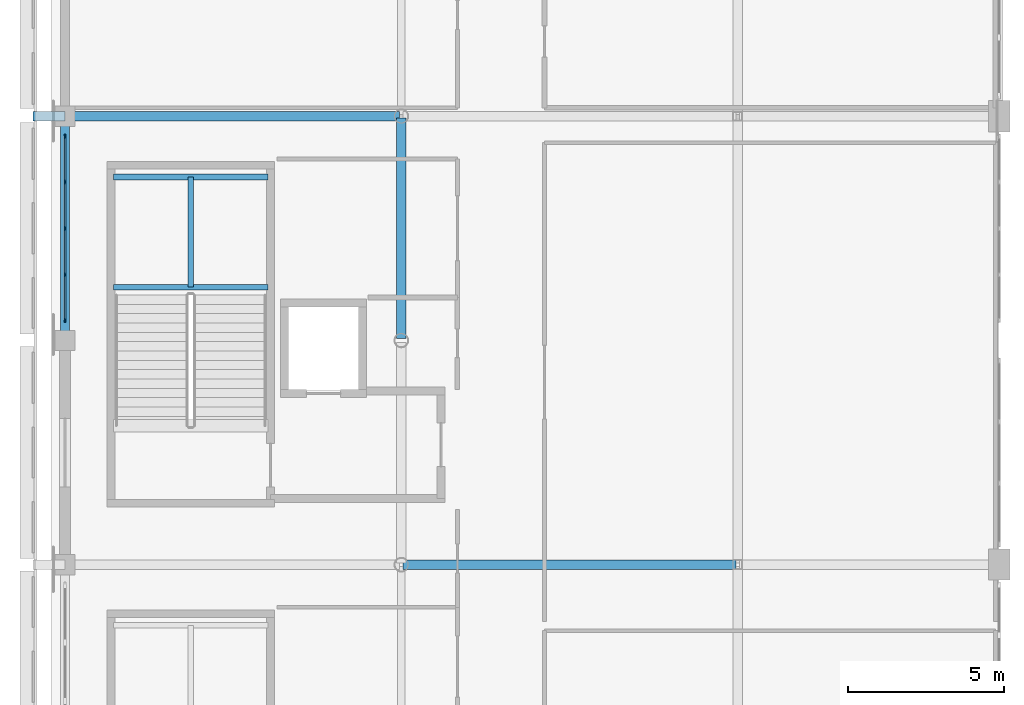
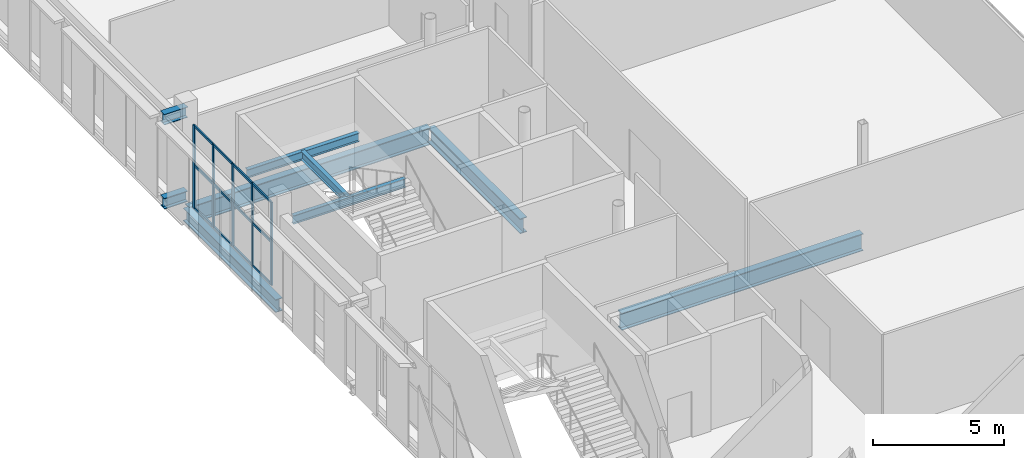
# One storey, part 27 of 104: 17 members, 9 beams, 1 element without a shape of its own.
"""IFC4 building model written with IfcOpenShell, lengths in metres."""

from ifc_helpers import new_model, si_unit, direction, frame, origin, origin_2d, place, context, subcontext, project, spatial, rectangle, i_section, extrude, material, material_profile, profile_set, type_object, element, aggregate, save


model = new_model("IFC4")

# Units and contexts
model_context = context("Model", 3, precision=1e-05, world=origin(), true_north=direction((0.0, 1.0)))
body_context = subcontext(model_context, "Body", "Model", "MODEL_VIEW")
ifc_project = project(units=[si_unit("LENGTHUNIT", "METRE"), si_unit("AREAUNIT", "SQUARE_METRE"), si_unit("VOLUMEUNIT", "CUBIC_METRE"), si_unit("PLANEANGLEUNIT", "RADIAN"), si_unit("MASSUNIT", "GRAM", prefix="KILO")], contexts=[model_context])

# Site, building, storey
site_placement = place(None, origin())
site = spatial("IfcSite", under=ifc_project, at=site_placement, CompositionType="ELEMENT")
building_placement = place(site_placement, origin())
building = spatial("IfcBuilding", under=site, at=building_placement, Name="Koshinbarg Plaza Stadium", CompositionType="ELEMENT")
storey_placement = place(building_placement, frame((0.0, 0.0, 19.800048828125)))
storey = spatial("IfcBuildingStorey", under=building, at=storey_placement, Name="L04", CompositionType="ELEMENT", Elevation=19.800048828125)

# Beams
ifc_material_1 = material(Name="Steel S355", Category="steel")
ifc_material_profile_1 = material_profile(ifc_material_1, i_section(OverallWidth=0.300048828125, OverallDepth=0.5, WebThickness=0.014404296875, FlangeThickness=0.028076171875, at=origin_2d()), Name="HEB 500")
ifc_profile_set_1 = profile_set([ifc_material_profile_1], Name="Steel S355")
beam_type_1 = type_object("IfcBeamType", Name="BM-CANOPY-CANT", PredefinedType="BEAM", material=ifc_profile_set_1)
for number, where, z_axis, x_axis, name in (
    (1, (24.60009765625, 111.89990234375, 0.25), (-1.0, 0.0, 0.0), (0.0, -1.0, 0.0), "Outer screen cantilever outrigger W-L04-Y07"),
    (2, (24.60009765625, 111.89990234375, 4.179931640625), (-1.0, 0.0, 0.0), (0.0, -1.0, 0.0), "Outer screen cantilever outrigger W-L04-Y07"),
):
    element("IfcBeam", number, at=place(storey_placement, frame(where, z_axis=z_axis, x_axis=x_axis)), inside=storey, type_object=beam_type_1, Name=name, PredefinedType="BEAM", context=body_context, shape_type="SweptSolid", body=[
        extrude(i_section(OverallWidth=0.300048828125, OverallDepth=0.5, WebThickness=0.014404296875, FlangeThickness=0.028076171875, at=origin_2d()), origin(), (0.0, 0.0, 1.0), 1.030029296875),
    ])
ifc_material_profile_2 = material_profile(ifc_material_1, i_section(OverallWidth=0.179931640625, OverallDepth=0.39990234375, WebThickness=0.008544921875, FlangeThickness=0.013427734375, at=origin_2d()), Name="IPE 400")
ifc_profile_set_2 = profile_set([ifc_material_profile_2], Name="Steel S355")
beam_type_2 = type_object("IfcBeamType", Name="BM-SBM-01", PredefinedType="BEAM", material=ifc_profile_set_2)
for number, where, z_axis, x_axis, name in (
    (3, (26.14990234375, 106.409912109375, 1.8798828125), (1.0, 0.0, 0.0), (0.0, 1.0, 0.0), "L04 Protected Exit Stair C06 landing trimmer beam 1"),
    (4, (26.14990234375, 109.949951171875, 1.8798828125), (1.0, 0.0, 0.0), (0.0, 1.0, 0.0), "L04 Protected Exit Stair C06 landing trimmer beam 2"),
):
    element("IfcBeam", number, at=place(storey_placement, frame(where, z_axis=z_axis, x_axis=x_axis)), inside=storey, type_object=beam_type_2, Name=name, PredefinedType="BEAM", context=body_context, shape_type="SweptSolid", body=[
        extrude(i_section(OverallWidth=0.179931640625, OverallDepth=0.39990234375, WebThickness=0.008544921875, FlangeThickness=0.013427734375, at=origin_2d()), origin(), (0.0, 0.0, 1.0), 4.97021484375),
    ])
beam_1_placement = place(storey_placement, frame((28.635009765625, 106.409912109375, 1.8798828125), z_axis=(0.0, 1.0, 0.0), x_axis=(-1.0, 0.0, 0.0)))
element("IfcBeam", 5, at=beam_1_placement, inside=storey, type_object=beam_type_2, Name="L04 Protected Exit Stair C06 landing trimmer beam 3", PredefinedType="BEAM", context=body_context, shape_type="SweptSolid", body=[
    extrude(i_section(OverallWidth=0.179931640625, OverallDepth=0.39990234375, WebThickness=0.008544921875, FlangeThickness=0.013427734375, at=origin_2d()), origin(), (0.0, 0.0, 1.0), 3.5400390625),
])
ifc_material_profile_3 = material_profile(ifc_material_1, i_section(OverallWidth=0.300048828125, OverallDepth=0.60009765625, WebThickness=0.015380859375, FlangeThickness=0.030029296875, at=origin_2d()), Name="HEB 600")
ifc_profile_set_3 = profile_set([ifc_material_profile_3], Name="Steel S355")
beam_type_3 = type_object("IfcBeamType", Name="BM-SGIR-02", PredefinedType="USERDEFINED", material=ifc_profile_set_3)
beam_2_placement = place(storey_placement, frame((24.60009765625, 104.760009765625, -0.60009765625), z_axis=(0.0, 1.0, 0.0), x_axis=(-1.0, 0.0, 0.0)))
element("IfcBeam", 6, at=beam_2_placement, inside=storey, type_object=beam_type_3, Name="L04 Y girder 5/P-Q", ObjectType="GIRDER", PredefinedType="USERDEFINED", context=body_context, shape_type="SweptSolid", body=[
    extrude(i_section(OverallWidth=0.300048828125, OverallDepth=0.60009765625, WebThickness=0.015380859375, FlangeThickness=0.030029296875, at=origin_2d()), origin(), (0.0, 0.0, 1.0), 7.080078125),
])
ifc_material_profile_4 = material_profile(ifc_material_1, i_section(OverallWidth=0.300048828125, OverallDepth=0.699951171875, WebThickness=0.01708984375, FlangeThickness=0.031982421875, at=origin_2d()), Name="HEB 700")
ifc_profile_set_4 = profile_set([ifc_material_profile_4], Name="Steel S355")
beam_type_4 = type_object("IfcBeamType", Name="BM-SGIR-03", PredefinedType="USERDEFINED", material=ifc_profile_set_4)
beam_3_placement = place(storey_placement, frame((35.39990234375, 104.760009765625, -0.650146484375), z_axis=(0.0, 1.0, 0.0), x_axis=(-1.0, 0.0, 0.0)))
element("IfcBeam", 7, at=beam_3_placement, inside=storey, type_object=beam_type_4, Name="L04 Y girder 6/P-Q", ObjectType="GIRDER", PredefinedType="USERDEFINED", context=body_context, shape_type="SweptSolid", body=[
    extrude(i_section(OverallWidth=0.300048828125, OverallDepth=0.699951171875, WebThickness=0.01708984375, FlangeThickness=0.031982421875, at=origin_2d()), origin(), (0.0, 0.0, 1.0), 7.080078125),
])
ifc_material_profile_5 = material_profile(ifc_material_1, i_section(OverallWidth=0.300048828125, OverallDepth=0.800048828125, WebThickness=0.017578125, FlangeThickness=0.032958984375, at=origin_2d()), Name="HEB 800")
ifc_profile_set_5 = profile_set([ifc_material_profile_5], Name="Steel S355")
beam_type_5 = type_object("IfcBeamType", Name="BM-SGIR-04", PredefinedType="USERDEFINED", material=ifc_profile_set_5)
beam_4_placement = place(storey_placement, frame((35.4599609375, 97.5, -0.699951171875), z_axis=(1.0, 0.0, 0.0), x_axis=(0.0, 1.0, 0.0)))
element("IfcBeam", 8, at=beam_4_placement, inside=storey, type_object=beam_type_5, Name="L04 X girder N/6-7", ObjectType="GIRDER", PredefinedType="USERDEFINED", context=body_context, shape_type="SweptSolid", body=[
    extrude(i_section(OverallWidth=0.300048828125, OverallDepth=0.800048828125, WebThickness=0.017578125, FlangeThickness=0.032958984375, at=origin_2d()), origin(), (0.0, 0.0, 1.0), 10.679931640625),
])
beam_5_placement = place(storey_placement, frame((24.659912109375, 111.89990234375, -0.699951171875), z_axis=(1.0, 0.0, 0.0), x_axis=(0.0, 1.0, 0.0)))
element("IfcBeam", 9, at=beam_5_placement, inside=storey, type_object=beam_type_5, Name="L04 X girder Q/5-6", ObjectType="GIRDER", PredefinedType="USERDEFINED", context=body_context, shape_type="SweptSolid", body=[
    extrude(i_section(OverallWidth=0.300048828125, OverallDepth=0.800048828125, WebThickness=0.017578125, FlangeThickness=0.032958984375, at=origin_2d()), origin(), (0.0, 0.0, 1.0), 10.68017578125),
])

# Curtain wall, members
ifc_material_2 = material(Name="Thermally broken anodised aluminium and low-E double glazing", Category="aluminium")
curtain_wall_type = type_object("IfcCurtainWallType", Name="CW-SYS-01", PredefinedType="NOTDEFINED", material=ifc_material_2)
curtain_wall_placement = place(storey_placement, origin())
curtain_wall = element("IfcCurtainWall", 10, at=curtain_wall_placement, inside=storey, type_object=curtain_wall_type, Name="L04 unitised curtain wall CW-L04-096", PredefinedType="NOTDEFINED")
ifc_material_3 = material(Name="Anodised aluminium mullion", Category="aluminium")
ifc_material_profile_6 = material_profile(ifc_material_3, rectangle(XDim=0.06005859375, YDim=0.139892578125, at=origin_2d()), Name="ALU 60x140")
ifc_profile_set_6 = profile_set([ifc_material_profile_6], Name="Anodised aluminium mullion")
member_type_1 = type_object("IfcMemberType", Name="CW-MUL-01", PredefinedType="MULLION", material=ifc_profile_set_6)
member_1_placement = place(storey_placement, frame((24.60009765625, 105.35009765625, 0.0), z_axis=(0.0, 0.0, 1.0), x_axis=(-1.0, 0.0, 0.0)))
member_1 = element("IfcMember", 11, at=member_1_placement, type_object=member_type_1, Name="CW01 mullion 1", PredefinedType="MULLION", context=body_context, shape_type="SweptSolid", body=[
    extrude(rectangle(XDim=0.06005859375, YDim=0.139892578125, at=origin_2d()), origin(), (0.0, 0.0, 1.0), 3.8798828125),
])
member_2_placement = place(storey_placement, frame((24.60009765625, 106.81005859375, 0.0), z_axis=(0.0, 0.0, 1.0), x_axis=(-1.0, 0.0, 0.0)))
member_2 = element("IfcMember", 12, at=member_2_placement, type_object=member_type_1, Name="CW01 mullion 2", PredefinedType="MULLION", context=body_context, shape_type="SweptSolid", body=[
    extrude(rectangle(XDim=0.06005859375, YDim=0.139892578125, at=origin_2d()), origin(), (0.0, 0.0, 1.0), 3.8798828125),
])
member_3_placement = place(storey_placement, frame((24.60009765625, 108.300048828125, 0.0), z_axis=(0.0, 0.0, 1.0), x_axis=(-1.0, 0.0, 0.0)))
member_3 = element("IfcMember", 13, at=member_3_placement, type_object=member_type_1, Name="CW01 mullion 3", PredefinedType="MULLION", context=body_context, shape_type="SweptSolid", body=[
    extrude(rectangle(XDim=0.06005859375, YDim=0.139892578125, at=origin_2d()), origin(), (0.0, 0.0, 1.0), 3.8798828125),
])
member_4_placement = place(storey_placement, frame((24.60009765625, 109.7900390625, 0.0), z_axis=(0.0, 0.0, 1.0), x_axis=(-1.0, 0.0, 0.0)))
member_4 = element("IfcMember", 14, at=member_4_placement, type_object=member_type_1, Name="CW01 mullion 4", PredefinedType="MULLION", context=body_context, shape_type="SweptSolid", body=[
    extrude(rectangle(XDim=0.06005859375, YDim=0.139892578125, at=origin_2d()), origin(), (0.0, 0.0, 1.0), 3.8798828125),
])
member_5_placement = place(storey_placement, frame((24.60009765625, 111.25, 0.0), z_axis=(0.0, 0.0, 1.0), x_axis=(-1.0, 0.0, 0.0)))
member_5 = element("IfcMember", 15, at=member_5_placement, type_object=member_type_1, Name="CW01 mullion 5", PredefinedType="MULLION", context=body_context, shape_type="SweptSolid", body=[
    extrude(rectangle(XDim=0.06005859375, YDim=0.139892578125, at=origin_2d()), origin(), (0.0, 0.0, 1.0), 3.8798828125),
])
ifc_material_4 = material(Name="Anodised aluminium transom", Category="aluminium")
ifc_material_profile_7 = material_profile(ifc_material_4, rectangle(XDim=0.06005859375, YDim=0.110107421875, at=origin_2d()), Name="ALU 60x110")
ifc_profile_set_7 = profile_set([ifc_material_profile_7], Name="Anodised aluminium transom")
member_type_2 = type_object("IfcMemberType", Name="CW-TRN-01", PredefinedType="USERDEFINED", material=ifc_profile_set_7)
member_6_placement = place(storey_placement, frame((24.60009765625, 105.3798828125, 0.030029296875), z_axis=(0.0, 1.0, 0.0), x_axis=(-1.0, 0.0, 0.0)))
member_6 = element("IfcMember", 16, at=member_6_placement, type_object=member_type_2, Name="CW01 transom 1.1", ObjectType="TRANSOM", PredefinedType="USERDEFINED", context=body_context, shape_type="SweptSolid", body=[
    extrude(rectangle(XDim=0.06005859375, YDim=0.110107421875, at=origin_2d()), origin(), (0.0, 0.0, 1.0), 1.400146484375),
])
member_7_placement = place(storey_placement, frame((24.60009765625, 105.3798828125, 2.017578125), z_axis=(0.0, 1.0, 0.0), x_axis=(-1.0, 0.0, 0.0)))
member_7 = element("IfcMember", 17, at=member_7_placement, type_object=member_type_2, Name="CW01 transom 1.2", ObjectType="TRANSOM", PredefinedType="USERDEFINED", context=body_context, shape_type="SweptSolid", body=[
    extrude(rectangle(XDim=0.06005859375, YDim=0.110107421875, at=origin_2d()), origin(), (0.0, 0.0, 1.0), 1.400146484375),
])
member_8_placement = place(storey_placement, frame((24.60009765625, 105.3798828125, 3.849853515625), z_axis=(0.0, 1.0, 0.0), x_axis=(-1.0, 0.0, 0.0)))
member_8 = element("IfcMember", 18, at=member_8_placement, type_object=member_type_2, Name="CW01 transom 1.3", ObjectType="TRANSOM", PredefinedType="USERDEFINED", context=body_context, shape_type="SweptSolid", body=[
    extrude(rectangle(XDim=0.06005859375, YDim=0.110107421875, at=origin_2d()), origin(), (0.0, 0.0, 1.0), 1.400146484375),
])
member_9_placement = place(storey_placement, frame((24.60009765625, 106.840087890625, 0.030029296875), z_axis=(0.0, 1.0, 0.0), x_axis=(-1.0, 0.0, 0.0)))
member_9 = element("IfcMember", 19, at=member_9_placement, type_object=member_type_2, Name="CW01 transom 2.1", ObjectType="TRANSOM", PredefinedType="USERDEFINED", context=body_context, shape_type="SweptSolid", body=[
    extrude(rectangle(XDim=0.06005859375, YDim=0.110107421875, at=origin_2d()), origin(), (0.0, 0.0, 1.0), 1.429931640625),
])
member_10_placement = place(storey_placement, frame((24.60009765625, 106.840087890625, 2.017578125), z_axis=(0.0, 1.0, 0.0), x_axis=(-1.0, 0.0, 0.0)))
member_10 = element("IfcMember", 20, at=member_10_placement, type_object=member_type_2, Name="CW01 transom 2.2", ObjectType="TRANSOM", PredefinedType="USERDEFINED", context=body_context, shape_type="SweptSolid", body=[
    extrude(rectangle(XDim=0.06005859375, YDim=0.110107421875, at=origin_2d()), origin(), (0.0, 0.0, 1.0), 1.429931640625),
])
member_11_placement = place(storey_placement, frame((24.60009765625, 106.840087890625, 3.849853515625), z_axis=(0.0, 1.0, 0.0), x_axis=(-1.0, 0.0, 0.0)))
member_11 = element("IfcMember", 21, at=member_11_placement, type_object=member_type_2, Name="CW01 transom 2.3", ObjectType="TRANSOM", PredefinedType="USERDEFINED", context=body_context, shape_type="SweptSolid", body=[
    extrude(rectangle(XDim=0.06005859375, YDim=0.110107421875, at=origin_2d()), origin(), (0.0, 0.0, 1.0), 1.429931640625),
])
member_12_placement = place(storey_placement, frame((24.60009765625, 108.330078125, 0.030029296875), z_axis=(0.0, 1.0, 0.0), x_axis=(-1.0, 0.0, 0.0)))
member_12 = element("IfcMember", 22, at=member_12_placement, type_object=member_type_2, Name="CW01 transom 3.1", ObjectType="TRANSOM", PredefinedType="USERDEFINED", context=body_context, shape_type="SweptSolid", body=[
    extrude(rectangle(XDim=0.06005859375, YDim=0.110107421875, at=origin_2d()), origin(), (0.0, 0.0, 1.0), 1.429931640625),
])
member_13_placement = place(storey_placement, frame((24.60009765625, 108.330078125, 2.017578125), z_axis=(0.0, 1.0, 0.0), x_axis=(-1.0, 0.0, 0.0)))
member_13 = element("IfcMember", 23, at=member_13_placement, type_object=member_type_2, Name="CW01 transom 3.2", ObjectType="TRANSOM", PredefinedType="USERDEFINED", context=body_context, shape_type="SweptSolid", body=[
    extrude(rectangle(XDim=0.06005859375, YDim=0.110107421875, at=origin_2d()), origin(), (0.0, 0.0, 1.0), 1.429931640625),
])
member_14_placement = place(storey_placement, frame((24.60009765625, 108.330078125, 3.849853515625), z_axis=(0.0, 1.0, 0.0), x_axis=(-1.0, 0.0, 0.0)))
member_14 = element("IfcMember", 24, at=member_14_placement, type_object=member_type_2, Name="CW01 transom 3.3", ObjectType="TRANSOM", PredefinedType="USERDEFINED", context=body_context, shape_type="SweptSolid", body=[
    extrude(rectangle(XDim=0.06005859375, YDim=0.110107421875, at=origin_2d()), origin(), (0.0, 0.0, 1.0), 1.429931640625),
])
member_15_placement = place(storey_placement, frame((24.60009765625, 109.820068359375, 0.030029296875), z_axis=(0.0, 1.0, 0.0), x_axis=(-1.0, 0.0, 0.0)))
member_15 = element("IfcMember", 25, at=member_15_placement, type_object=member_type_2, Name="CW01 transom 4.1", ObjectType="TRANSOM", PredefinedType="USERDEFINED", context=body_context, shape_type="SweptSolid", body=[
    extrude(rectangle(XDim=0.06005859375, YDim=0.110107421875, at=origin_2d()), origin(), (0.0, 0.0, 1.0), 1.39990234375),
])
member_16_placement = place(storey_placement, frame((24.60009765625, 109.820068359375, 2.017578125), z_axis=(0.0, 1.0, 0.0), x_axis=(-1.0, 0.0, 0.0)))
member_16 = element("IfcMember", 26, at=member_16_placement, type_object=member_type_2, Name="CW01 transom 4.2", ObjectType="TRANSOM", PredefinedType="USERDEFINED", context=body_context, shape_type="SweptSolid", body=[
    extrude(rectangle(XDim=0.06005859375, YDim=0.110107421875, at=origin_2d()), origin(), (0.0, 0.0, 1.0), 1.39990234375),
])
member_17_placement = place(storey_placement, frame((24.60009765625, 109.820068359375, 3.849853515625), z_axis=(0.0, 1.0, 0.0), x_axis=(-1.0, 0.0, 0.0)))
member_17 = element("IfcMember", 27, at=member_17_placement, type_object=member_type_2, Name="CW01 transom 4.3", ObjectType="TRANSOM", PredefinedType="USERDEFINED", context=body_context, shape_type="SweptSolid", body=[
    extrude(rectangle(XDim=0.06005859375, YDim=0.110107421875, at=origin_2d()), origin(), (0.0, 0.0, 1.0), 1.39990234375),
])
aggregate(curtain_wall, [member_1, member_2, member_3, member_4, member_5, member_6, member_7, member_8, member_9, member_10, member_11, member_12, member_13, member_14, member_15, member_16, member_17])

save(model, "model.ifc")
